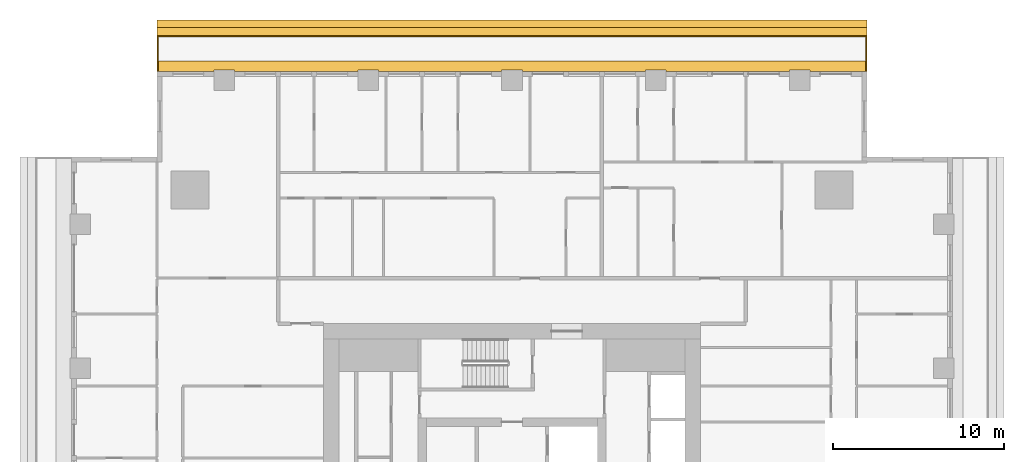
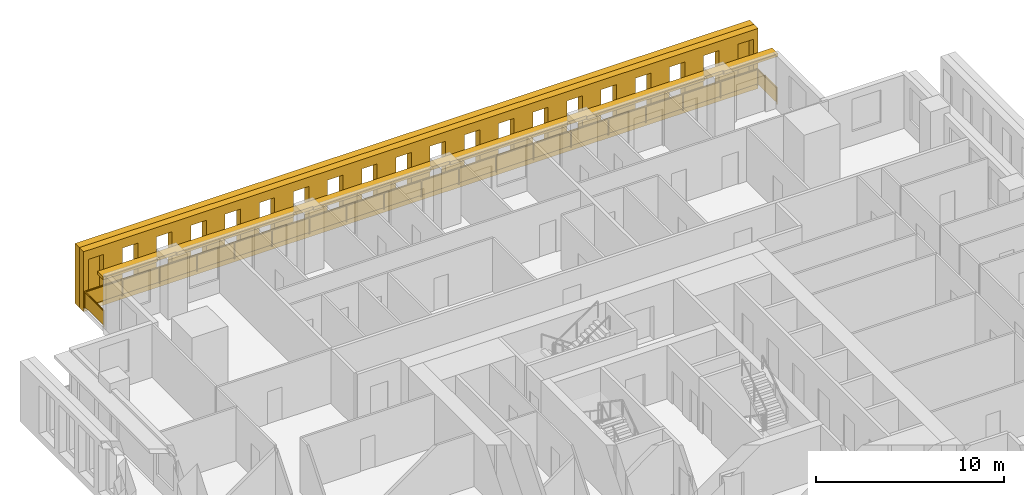
# One storey, part 15 of 15: 3 shading devices, 1 railing.
"""IFC4 building model written with IfcOpenShell, lengths in metres."""

from ifc_helpers import new_model, si_unit, direction, frame, origin, origin_2d, place, context, subcontext, project, spatial, polyline, rectangle, outline, extrude, material, layer, layer_set, type_object, element, save


model = new_model("IFC4")

# Units and contexts
model_context = context("Model", 3, precision=1e-05, world=origin(), true_north=direction((0.0, 1.0)))
body_context = subcontext(model_context, "Body", "Model", "MODEL_VIEW")
ifc_project = project(units=[si_unit("LENGTHUNIT", "METRE"), si_unit("AREAUNIT", "SQUARE_METRE"), si_unit("VOLUMEUNIT", "CUBIC_METRE"), si_unit("PLANEANGLEUNIT", "RADIAN"), si_unit("MASSUNIT", "GRAM", prefix="KILO")], contexts=[model_context])

# Site, building, storey
site_placement = place(None, origin())
site = spatial("IfcSite", under=ifc_project, at=site_placement, CompositionType="ELEMENT")
building_placement = place(site_placement, origin())
building = spatial("IfcBuilding", under=site, at=building_placement, Name="Khepri Terraces", CompositionType="ELEMENT")
storey_placement = place(building_placement, frame((0.0, 0.0, 256.199951171875)))
storey = spatial("IfcBuildingStorey", under=building, at=storey_placement, Name="L61", CompositionType="ELEMENT", Elevation=256.199951171875)

# Railing
ifc_material_1 = material(Name="Stainless steel grade 316", Category="steel")
railing_type = type_object("IfcRailingType", Name="GRD-BAL-1100", PredefinedType="GUARDRAIL", material=ifc_material_1)
railing_placement = place(storey_placement, frame((20.669921875, 25.719970703125, 0.0)))
element("IfcRailing", 1, at=railing_placement, inside=storey, type_object=railing_type, Name="Balcony guard L61 N", PredefinedType="GUARDRAIL", context=body_context, shape_type="SweptSolid", body=[
    extrude(rectangle(XDim=0.050048828125, YDim=0.06005859375, at=origin_2d()), frame((0.0, 0.0, 1.070068359375), z_axis=(0.0, 1.0, 0.0), x_axis=(-1.0, 0.0, 0.0)), (0.0, 0.0, 1.0), 2.050048828125),
    extrude(rectangle(XDim=2.0, YDim=0.011962890625, at=origin_2d()), frame((0.0, 1.02490234375, 0.10009765625), z_axis=(0.0, 0.0, 1.0), x_axis=(0.0, 1.0, 0.0)), (0.0, 0.0, 1.0), 0.93994140625),
    extrude(rectangle(XDim=0.050048828125, YDim=0.06005859375, at=origin_2d()), frame((0.0, 2.050048828125, 1.070068359375), z_axis=(-1.0, 0.0, 0.0), x_axis=(0.0, -1.0, 0.0)), (0.0, 0.0, 1.0), 41.33984375),
    extrude(rectangle(XDim=2.24658203125, YDim=0.011962890625, at=origin_2d()), frame((-1.1484375, 2.050048828125, 0.10009765625), z_axis=(0.0, 0.0, 1.0), x_axis=(-1.0, 0.0, 0.0)), (0.0, 0.0, 1.0), 0.93994140625),
    extrude(rectangle(XDim=2.24658203125, YDim=0.011962890625, at=origin_2d()), frame((-3.445068359375, 2.050048828125, 0.10009765625), z_axis=(0.0, 0.0, 1.0), x_axis=(-1.0, 0.0, 0.0)), (0.0, 0.0, 1.0), 0.93994140625),
    extrude(rectangle(XDim=2.24658203125, YDim=0.011962890625, at=origin_2d()), frame((-5.74169921875, 2.050048828125, 0.10009765625), z_axis=(0.0, 0.0, 1.0), x_axis=(-1.0, 0.0, 0.0)), (0.0, 0.0, 1.0), 0.93994140625),
    extrude(rectangle(XDim=2.24658203125, YDim=0.011962890625, at=origin_2d()), frame((-8.038330078125, 2.050048828125, 0.10009765625), z_axis=(0.0, 0.0, 1.0), x_axis=(-1.0, 0.0, 0.0)), (0.0, 0.0, 1.0), 0.93994140625),
    extrude(rectangle(XDim=2.24658203125, YDim=0.011962890625, at=origin_2d()), frame((-10.3349609375, 2.050048828125, 0.10009765625), z_axis=(0.0, 0.0, 1.0), x_axis=(-1.0, 0.0, 0.0)), (0.0, 0.0, 1.0), 0.93994140625),
    extrude(rectangle(XDim=2.24658203125, YDim=0.011962890625, at=origin_2d()), frame((-12.631591796875, 2.050048828125, 0.10009765625), z_axis=(0.0, 0.0, 1.0), x_axis=(-1.0, 0.0, 0.0)), (0.0, 0.0, 1.0), 0.93994140625),
    extrude(rectangle(XDim=2.24658203125, YDim=0.011962890625, at=origin_2d()), frame((-14.92822265625, 2.050048828125, 0.10009765625), z_axis=(0.0, 0.0, 1.0), x_axis=(-1.0, 0.0, 0.0)), (0.0, 0.0, 1.0), 0.93994140625),
    extrude(rectangle(XDim=2.24658203125, YDim=0.011962890625, at=origin_2d()), frame((-17.224853515625, 2.050048828125, 0.10009765625), z_axis=(0.0, 0.0, 1.0), x_axis=(-1.0, 0.0, 0.0)), (0.0, 0.0, 1.0), 0.93994140625),
    extrude(rectangle(XDim=2.24658203125, YDim=0.011962890625, at=origin_2d()), frame((-19.521484375, 2.050048828125, 0.10009765625), z_axis=(0.0, 0.0, 1.0), x_axis=(-1.0, 0.0, 0.0)), (0.0, 0.0, 1.0), 0.93994140625),
    extrude(rectangle(XDim=2.24658203125, YDim=0.011962890625, at=origin_2d()), frame((-21.818359375, 2.050048828125, 0.10009765625), z_axis=(0.0, 0.0, 1.0), x_axis=(-1.0, 0.0, 0.0)), (0.0, 0.0, 1.0), 0.93994140625),
    extrude(rectangle(XDim=2.24658203125, YDim=0.011962890625, at=origin_2d()), frame((-24.114990234375, 2.050048828125, 0.10009765625), z_axis=(0.0, 0.0, 1.0), x_axis=(-1.0, 0.0, 0.0)), (0.0, 0.0, 1.0), 0.93994140625),
    extrude(rectangle(XDim=2.24658203125, YDim=0.011962890625, at=origin_2d()), frame((-26.41162109375, 2.050048828125, 0.10009765625), z_axis=(0.0, 0.0, 1.0), x_axis=(-1.0, 0.0, 0.0)), (0.0, 0.0, 1.0), 0.93994140625),
    extrude(rectangle(XDim=2.24658203125, YDim=0.011962890625, at=origin_2d()), frame((-28.708251953125, 2.050048828125, 0.10009765625), z_axis=(0.0, 0.0, 1.0), x_axis=(-1.0, 0.0, 0.0)), (0.0, 0.0, 1.0), 0.93994140625),
    extrude(rectangle(XDim=2.24658203125, YDim=0.011962890625, at=origin_2d()), frame((-31.0048828125, 2.050048828125, 0.10009765625), z_axis=(0.0, 0.0, 1.0), x_axis=(-1.0, 0.0, 0.0)), (0.0, 0.0, 1.0), 0.93994140625),
    extrude(rectangle(XDim=2.24658203125, YDim=0.011962890625, at=origin_2d()), frame((-33.301513671875, 2.050048828125, 0.10009765625), z_axis=(0.0, 0.0, 1.0), x_axis=(-1.0, 0.0, 0.0)), (0.0, 0.0, 1.0), 0.93994140625),
    extrude(rectangle(XDim=2.24658203125, YDim=0.011962890625, at=origin_2d()), frame((-35.59814453125, 2.050048828125, 0.10009765625), z_axis=(0.0, 0.0, 1.0), x_axis=(-1.0, 0.0, 0.0)), (0.0, 0.0, 1.0), 0.93994140625),
    extrude(rectangle(XDim=2.24658203125, YDim=0.011962890625, at=origin_2d()), frame((-37.894775390625, 2.050048828125, 0.10009765625), z_axis=(0.0, 0.0, 1.0), x_axis=(-1.0, 0.0, 0.0)), (0.0, 0.0, 1.0), 0.93994140625),
    extrude(rectangle(XDim=2.24658203125, YDim=0.011962890625, at=origin_2d()), frame((-40.19140625, 2.050048828125, 0.10009765625), z_axis=(0.0, 0.0, 1.0), x_axis=(-1.0, 0.0, 0.0)), (0.0, 0.0, 1.0), 0.93994140625),
    extrude(rectangle(XDim=0.050048828125, YDim=0.06005859375, at=origin_2d()), frame((-41.33984375, 2.050048828125, 1.070068359375), z_axis=(0.0, -1.0, 0.0), x_axis=(1.0, 0.0, 0.0)), (0.0, 0.0, 1.0), 2.050048828125),
    extrude(rectangle(XDim=2.0, YDim=0.011962890625, at=origin_2d()), frame((-41.33984375, 1.02490234375, 0.10009765625), z_axis=(0.0, 0.0, 1.0), x_axis=(0.0, -1.0, 0.0)), (0.0, 0.0, 1.0), 0.93994140625),
    extrude(rectangle(XDim=0.050048828125, YDim=0.050048828125, at=origin_2d()), origin(), (0.0, 0.0, 1.0), 1.0400390625),
    extrude(rectangle(XDim=0.050048828125, YDim=0.050048828125, at=origin_2d()), frame((0.0, 2.050048828125, 0.0)), (0.0, 0.0, 1.0), 1.0400390625),
    extrude(rectangle(XDim=0.050048828125, YDim=0.050048828125, at=origin_2d()), frame((-2.296630859375, 2.050048828125, 0.0)), (0.0, 0.0, 1.0), 1.0400390625),
    extrude(rectangle(XDim=0.050048828125, YDim=0.050048828125, at=origin_2d()), frame((-4.59326171875, 2.050048828125, 0.0)), (0.0, 0.0, 1.0), 1.0400390625),
    extrude(rectangle(XDim=0.050048828125, YDim=0.050048828125, at=origin_2d()), frame((-6.889892578125, 2.050048828125, 0.0)), (0.0, 0.0, 1.0), 1.0400390625),
    extrude(rectangle(XDim=0.050048828125, YDim=0.050048828125, at=origin_2d()), frame((-9.1865234375, 2.050048828125, 0.0)), (0.0, 0.0, 1.0), 1.0400390625),
    extrude(rectangle(XDim=0.050048828125, YDim=0.050048828125, at=origin_2d()), frame((-11.4833984375, 2.050048828125, 0.0)), (0.0, 0.0, 1.0), 1.0400390625),
    extrude(rectangle(XDim=0.050048828125, YDim=0.050048828125, at=origin_2d()), frame((-13.780029296875, 2.050048828125, 0.0)), (0.0, 0.0, 1.0), 1.0400390625),
    extrude(rectangle(XDim=0.050048828125, YDim=0.050048828125, at=origin_2d()), frame((-16.07666015625, 2.050048828125, 0.0)), (0.0, 0.0, 1.0), 1.0400390625),
    extrude(rectangle(XDim=0.050048828125, YDim=0.050048828125, at=origin_2d()), frame((-18.373291015625, 2.050048828125, 0.0)), (0.0, 0.0, 1.0), 1.0400390625),
    extrude(rectangle(XDim=0.050048828125, YDim=0.050048828125, at=origin_2d()), frame((-20.669921875, 2.050048828125, 0.0)), (0.0, 0.0, 1.0), 1.0400390625),
    extrude(rectangle(XDim=0.050048828125, YDim=0.050048828125, at=origin_2d()), frame((-22.966552734375, 2.050048828125, 0.0)), (0.0, 0.0, 1.0), 1.0400390625),
    extrude(rectangle(XDim=0.050048828125, YDim=0.050048828125, at=origin_2d()), frame((-25.26318359375, 2.050048828125, 0.0)), (0.0, 0.0, 1.0), 1.0400390625),
    extrude(rectangle(XDim=0.050048828125, YDim=0.050048828125, at=origin_2d()), frame((-27.559814453125, 2.050048828125, 0.0)), (0.0, 0.0, 1.0), 1.0400390625),
    extrude(rectangle(XDim=0.050048828125, YDim=0.050048828125, at=origin_2d()), frame((-29.8564453125, 2.050048828125, 0.0)), (0.0, 0.0, 1.0), 1.0400390625),
    extrude(rectangle(XDim=0.050048828125, YDim=0.050048828125, at=origin_2d()), frame((-32.1533203125, 2.050048828125, 0.0)), (0.0, 0.0, 1.0), 1.0400390625),
    extrude(rectangle(XDim=0.050048828125, YDim=0.050048828125, at=origin_2d()), frame((-34.449951171875, 2.050048828125, 0.0)), (0.0, 0.0, 1.0), 1.0400390625),
    extrude(rectangle(XDim=0.050048828125, YDim=0.050048828125, at=origin_2d()), frame((-36.74658203125, 2.050048828125, 0.0)), (0.0, 0.0, 1.0), 1.0400390625),
    extrude(rectangle(XDim=0.050048828125, YDim=0.050048828125, at=origin_2d()), frame((-39.043212890625, 2.050048828125, 0.0)), (0.0, 0.0, 1.0), 1.0400390625),
    extrude(rectangle(XDim=0.050048828125, YDim=0.050048828125, at=origin_2d()), frame((-41.33984375, 2.050048828125, 0.0)), (0.0, 0.0, 1.0), 1.0400390625),
    extrude(rectangle(XDim=0.050048828125, YDim=0.050048828125, at=origin_2d()), frame((-41.33984375, 0.0, 0.0)), (0.0, 0.0, 1.0), 1.0400390625),
])

# Shading devices
ifc_material_2 = material(Name="Precast concrete C50/60 warm stone", Category="masonry")
shading_device_type_1 = type_object("IfcShadingDeviceType", Name="SCR-CELL-INNER-450", PredefinedType="USERDEFINED", material=ifc_material_2)
shading_device_1_placement = place(storey_placement, frame((20.719970703125, 27.820068359375, -0.25), z_axis=(0.0, 1.0, 0.0), x_axis=(-1.0, 0.0, 0.0)))
element("IfcShadingDevice", 2, at=shading_device_1_placement, inside=storey, type_object=shading_device_type_1, Name="Cell screen L61 N in", ObjectType="SCREEN", PredefinedType="USERDEFINED", context=body_context, shape_type="SweptSolid", body=[
    extrude(outline(polyline([(0.0, 0.0), (41.43994140625, 0.0), (41.43994140625, 3.89990234375), (0.0, 3.89990234375), (0.0, 0.0)]), holes=[polyline([(0.297607421875, 0.699951171875), (1.242431640625, 0.699951171875), (1.242431640625, 3.300048828125), (0.297607421875, 3.300048828125), (0.297607421875, 0.699951171875)]), polyline([(2.3974609375, 0.699951171875), (3.342529296875, 0.699951171875), (3.342529296875, 3.300048828125), (2.3974609375, 3.300048828125), (2.3974609375, 0.699951171875)]), polyline([(4.49755859375, 0.699951171875), (5.4423828125, 0.699951171875), (5.4423828125, 3.300048828125), (4.49755859375, 3.300048828125), (4.49755859375, 0.699951171875)]), polyline([(6.597412109375, 0.699951171875), (7.54248046875, 0.699951171875), (7.54248046875, 3.300048828125), (6.597412109375, 3.300048828125), (6.597412109375, 0.699951171875)]), polyline([(8.697509765625, 0.699951171875), (9.642578125, 0.699951171875), (9.642578125, 3.300048828125), (8.697509765625, 3.300048828125), (8.697509765625, 0.699951171875)]), polyline([(10.797607421875, 0.699951171875), (11.742431640625, 0.699951171875), (11.742431640625, 3.300048828125), (10.797607421875, 3.300048828125), (10.797607421875, 0.699951171875)]), polyline([(12.8974609375, 0.699951171875), (13.842529296875, 0.699951171875), (13.842529296875, 3.300048828125), (12.8974609375, 3.300048828125), (12.8974609375, 0.699951171875)]), polyline([(14.99755859375, 0.699951171875), (15.9423828125, 0.699951171875), (15.9423828125, 3.300048828125), (14.99755859375, 3.300048828125), (14.99755859375, 0.699951171875)]), polyline([(17.097412109375, 0.699951171875), (18.04248046875, 0.699951171875), (18.04248046875, 3.300048828125), (17.097412109375, 3.300048828125), (17.097412109375, 0.699951171875)]), polyline([(19.197509765625, 0.699951171875), (20.142578125, 0.699951171875), (20.142578125, 3.300048828125), (19.197509765625, 3.300048828125), (19.197509765625, 0.699951171875)]), polyline([(21.297607421875, 0.699951171875), (22.242431640625, 0.699951171875), (22.242431640625, 3.300048828125), (21.297607421875, 3.300048828125), (21.297607421875, 0.699951171875)]), polyline([(23.3974609375, 0.699951171875), (24.342529296875, 0.699951171875), (24.342529296875, 3.300048828125), (23.3974609375, 3.300048828125), (23.3974609375, 0.699951171875)]), polyline([(25.49755859375, 0.699951171875), (26.4423828125, 0.699951171875), (26.4423828125, 3.300048828125), (25.49755859375, 3.300048828125), (25.49755859375, 0.699951171875)]), polyline([(27.597412109375, 0.699951171875), (28.54248046875, 0.699951171875), (28.54248046875, 3.300048828125), (27.597412109375, 3.300048828125), (27.597412109375, 0.699951171875)]), polyline([(29.697509765625, 0.699951171875), (30.642578125, 0.699951171875), (30.642578125, 3.300048828125), (29.697509765625, 3.300048828125), (29.697509765625, 0.699951171875)]), polyline([(31.797607421875, 0.699951171875), (32.742431640625, 0.699951171875), (32.742431640625, 3.300048828125), (31.797607421875, 3.300048828125), (31.797607421875, 0.699951171875)]), polyline([(33.8974609375, 0.699951171875), (34.842529296875, 0.699951171875), (34.842529296875, 3.300048828125), (33.8974609375, 3.300048828125), (33.8974609375, 0.699951171875)]), polyline([(35.99755859375, 0.699951171875), (36.9423828125, 0.699951171875), (36.9423828125, 3.300048828125), (35.99755859375, 3.300048828125), (35.99755859375, 0.699951171875)]), polyline([(38.097412109375, 0.699951171875), (39.04248046875, 0.699951171875), (39.04248046875, 3.300048828125), (38.097412109375, 3.300048828125), (38.097412109375, 0.699951171875)]), polyline([(40.197509765625, 0.699951171875), (41.142578125, 0.699951171875), (41.142578125, 3.300048828125), (40.197509765625, 3.300048828125), (40.197509765625, 0.699951171875)])]), origin(), (0.0, 0.0, 1.0), 0.449951171875),
])
shading_device_type_2 = type_object("IfcShadingDeviceType", Name="SCR-CELL-OUTER-450", PredefinedType="USERDEFINED", material=ifc_material_2)
shading_device_2_placement = place(storey_placement, frame((20.719970703125, 28.27001953125, -0.25), z_axis=(0.0, 1.0, 0.0), x_axis=(-1.0, 0.0, 0.0)))
element("IfcShadingDevice", 3, at=shading_device_2_placement, inside=storey, type_object=shading_device_type_2, Name="Cell screen L61 N out", ObjectType="SCREEN", PredefinedType="USERDEFINED", context=body_context, shape_type="SweptSolid", body=[
    extrude(outline(polyline([(0.0, 0.0), (41.43994140625, 0.0), (41.43994140625, 3.89990234375), (0.0, 3.89990234375), (0.0, 0.0)]), holes=[polyline([(2.047607421875, 0.449951171875), (3.6923828125, 0.449951171875), (3.6923828125, 3.550048828125), (2.047607421875, 3.550048828125), (2.047607421875, 0.449951171875)]), polyline([(4.1474609375, 0.449951171875), (5.79248046875, 0.449951171875), (5.79248046875, 3.550048828125), (4.1474609375, 3.550048828125), (4.1474609375, 0.449951171875)]), polyline([(6.24755859375, 0.449951171875), (7.892578125, 0.449951171875), (7.892578125, 3.550048828125), (6.24755859375, 3.550048828125), (6.24755859375, 0.449951171875)]), polyline([(8.347412109375, 0.449951171875), (9.992431640625, 0.449951171875), (9.992431640625, 3.550048828125), (8.347412109375, 3.550048828125), (8.347412109375, 0.449951171875)]), polyline([(10.447509765625, 0.449951171875), (12.092529296875, 0.449951171875), (12.092529296875, 3.550048828125), (10.447509765625, 3.550048828125), (10.447509765625, 0.449951171875)]), polyline([(12.547607421875, 0.449951171875), (14.1923828125, 0.449951171875), (14.1923828125, 3.550048828125), (12.547607421875, 3.550048828125), (12.547607421875, 0.449951171875)]), polyline([(14.6474609375, 0.449951171875), (16.29248046875, 0.449951171875), (16.29248046875, 3.550048828125), (14.6474609375, 3.550048828125), (14.6474609375, 0.449951171875)]), polyline([(16.74755859375, 0.449951171875), (18.392578125, 0.449951171875), (18.392578125, 3.550048828125), (16.74755859375, 3.550048828125), (16.74755859375, 0.449951171875)]), polyline([(18.847412109375, 0.449951171875), (20.492431640625, 0.449951171875), (20.492431640625, 3.550048828125), (18.847412109375, 3.550048828125), (18.847412109375, 0.449951171875)]), polyline([(20.947509765625, 0.449951171875), (22.592529296875, 0.449951171875), (22.592529296875, 3.550048828125), (20.947509765625, 3.550048828125), (20.947509765625, 0.449951171875)]), polyline([(23.047607421875, 0.449951171875), (24.6923828125, 0.449951171875), (24.6923828125, 3.550048828125), (23.047607421875, 3.550048828125), (23.047607421875, 0.449951171875)]), polyline([(25.1474609375, 0.449951171875), (26.79248046875, 0.449951171875), (26.79248046875, 3.550048828125), (25.1474609375, 3.550048828125), (25.1474609375, 0.449951171875)]), polyline([(27.24755859375, 0.449951171875), (28.892578125, 0.449951171875), (28.892578125, 3.550048828125), (27.24755859375, 3.550048828125), (27.24755859375, 0.449951171875)]), polyline([(29.347412109375, 0.449951171875), (30.992431640625, 0.449951171875), (30.992431640625, 3.550048828125), (29.347412109375, 3.550048828125), (29.347412109375, 0.449951171875)]), polyline([(31.447509765625, 0.449951171875), (33.092529296875, 0.449951171875), (33.092529296875, 3.550048828125), (31.447509765625, 3.550048828125), (31.447509765625, 0.449951171875)]), polyline([(33.547607421875, 0.449951171875), (35.1923828125, 0.449951171875), (35.1923828125, 3.550048828125), (33.547607421875, 3.550048828125), (33.547607421875, 0.449951171875)]), polyline([(35.6474609375, 0.449951171875), (37.29248046875, 0.449951171875), (37.29248046875, 3.550048828125), (35.6474609375, 3.550048828125), (35.6474609375, 0.449951171875)]), polyline([(37.74755859375, 0.449951171875), (39.392578125, 0.449951171875), (39.392578125, 3.550048828125), (37.74755859375, 3.550048828125), (37.74755859375, 0.449951171875)])]), origin(), (0.0, 0.0, 1.0), 0.449951171875),
])
ifc_layer = layer(ifc_material_2, 0.199951171875, Name="Precast concrete C50/60 warm stone", Category="masonry")
ifc_layer_set = layer_set([ifc_layer], Name="Precast concrete C50/60 warm stone")
shading_device_type_3 = type_object("IfcShadingDeviceType", Name="SSH-BAND-STONE-200-N", PredefinedType="USERDEFINED", material=ifc_layer_set)
shading_device_3_placement = place(storey_placement, frame((0.0, 0.0, 3.10009765625)))
element("IfcShadingDevice", 4, at=shading_device_3_placement, inside=storey, type_object=shading_device_type_3, Name="Sunshade band L61 N", ObjectType="SUNSHADE", PredefinedType="USERDEFINED", context=body_context, shape_type="SweptSolid", body=[
    extrude(outline(polyline([(17.39990234375, 25.719970703125), (20.719970703125, 25.719970703125), (20.719970703125, 26.320068359375), (-20.719970703125, 26.320068359375), (-20.719970703125, 25.719970703125), (-17.39990234375, 25.719970703125), (-17.39990234375, 25.800048828125), (-16.199951171875, 25.800048828125), (-16.199951171875, 25.719970703125), (-9.0, 25.719970703125), (-9.0, 25.800048828125), (-7.800048828125, 25.800048828125), (-7.800048828125, 25.719970703125), (-0.60009765625, 25.719970703125), (-0.60009765625, 25.800048828125), (0.60009765625, 25.800048828125), (0.60009765625, 25.719970703125), (7.800048828125, 25.719970703125), (7.800048828125, 25.800048828125), (9.0, 25.800048828125), (9.0, 25.719970703125), (16.199951171875, 25.719970703125), (16.199951171875, 25.800048828125), (17.39990234375, 25.800048828125), (17.39990234375, 25.719970703125)])), origin(), (0.0, 0.0, 1.0), 0.199951171875),
])

save(model, "model.ifc")
